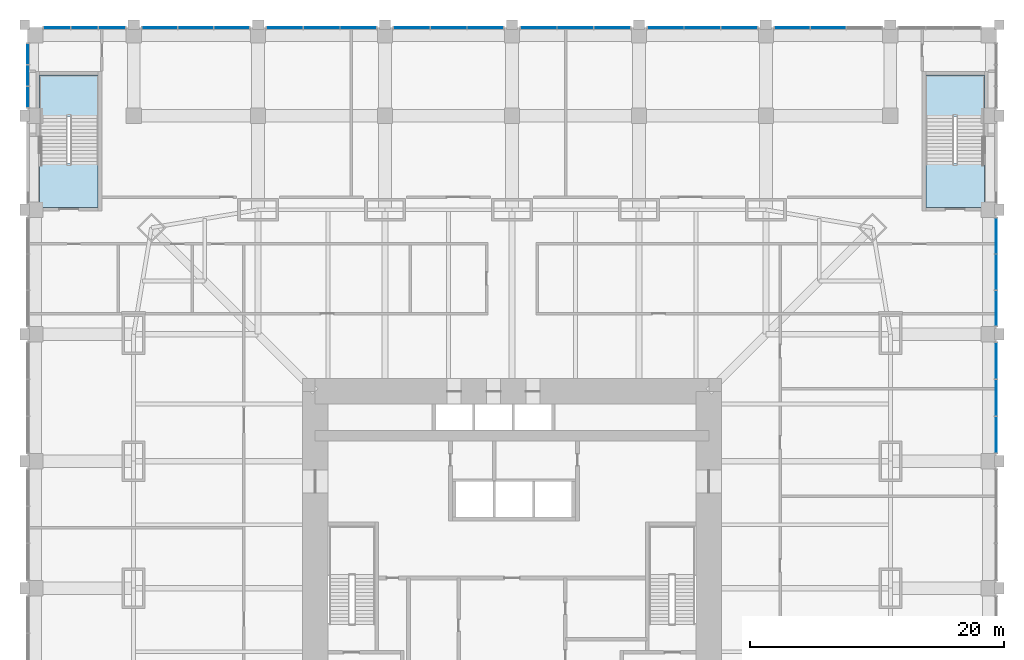
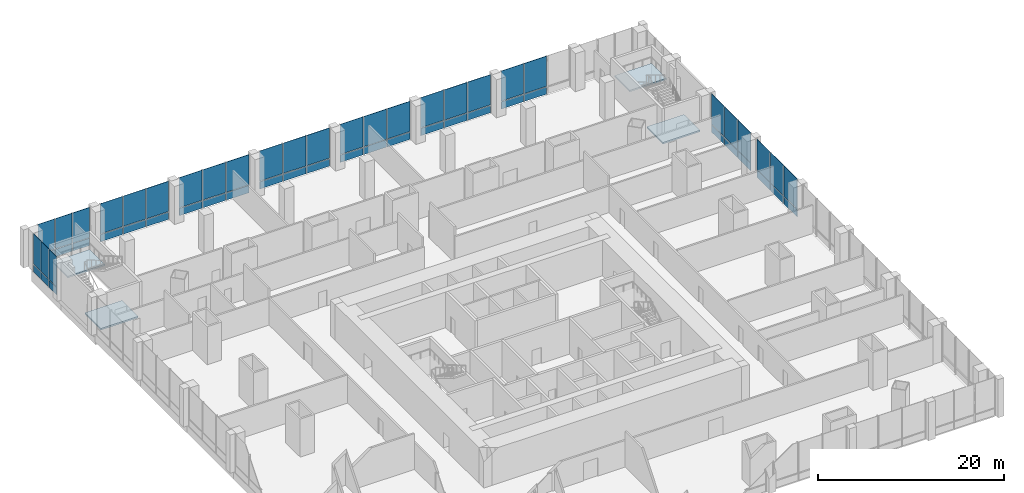
# One storey, part 15 of 24: 58 plates, 4 slabs, 12 elements without a shape of their own.
"""IFC4 building model written with IfcOpenShell, lengths in metres."""

from ifc_helpers import new_model, si_unit, direction, frame, origin, origin_2d, place, context, subcontext, project, spatial, polyline, rectangle, outline, extrude, material, layer, layer_set, type_object, element, aggregate, save


model = new_model("IFC4")

# Units and contexts
model_context = context("Model", 3, precision=1e-05, world=origin(), true_north=direction((0.0, 1.0)))
body_context = subcontext(model_context, "Body", "Model", "MODEL_VIEW")
ifc_project = project(units=[si_unit("LENGTHUNIT", "METRE"), si_unit("AREAUNIT", "SQUARE_METRE"), si_unit("VOLUMEUNIT", "CUBIC_METRE"), si_unit("PLANEANGLEUNIT", "RADIAN"), si_unit("MASSUNIT", "GRAM", prefix="KILO")], contexts=[model_context])

# Site, building, storey
site_placement = place(None, origin())
site = spatial("IfcSite", under=ifc_project, at=site_placement, CompositionType="ELEMENT")
building_placement = place(site_placement, origin())
building = spatial("IfcBuilding", under=site, at=building_placement, Name="Khuree Lantern Residences", CompositionType="ELEMENT")
storey_placement = place(building_placement, frame((0.0, 0.0, 6.0)))
storey = spatial("IfcBuildingStorey", under=building, at=storey_placement, Name="L01", CompositionType="ELEMENT", Elevation=6.0)

# Stair, slabs
ifc_material_1 = material(Name="Concrete C40/50", Category="concrete")
stair_type = type_object("IfcStairType", Name="STAIR ST3 HALF TURN 4600", PredefinedType="HALF_TURN_STAIR", material=ifc_material_1)
stair_1_placement = place(storey_placement, origin())
stair_1 = element("IfcStair", 1, at=stair_1_placement, inside=storey, type_object=stair_type, Name="Stair ST3", PredefinedType="HALF_TURN_STAIR")
ifc_layer_1 = layer(ifc_material_1, 0.199951171875)
ifc_layer_set_1 = layer_set([ifc_layer_1], Name="STAIR LANDING SL1 200")
slab_type = type_object("IfcSlabType", Name="STAIR LANDING SL1 200", PredefinedType="LANDING", material=ifc_layer_set_1)
slab_1_placement = place(storey_placement, frame((0.0, 0.0, -0.199951171875)))
slab_1 = element("IfcSlab", 2, at=slab_1_placement, type_object=slab_type, Name="ST3 landing 1", PredefinedType="LANDING", context=body_context, shape_type="SweptSolid", body=[
    extrude(outline(polyline([(-37.199951171875, 30.0), (-32.60009765625, 30.0), (-32.60009765625, 33.43994140625), (-37.199951171875, 33.43994140625), (-37.199951171875, 30.0)])), origin(), (0.0, 0.0, 1.0), 0.199951171875),
])
slab_2_placement = place(storey_placement, frame((0.0, 0.0, 2.300048828125)))
slab_2 = element("IfcSlab", 3, at=slab_2_placement, type_object=slab_type, Name="ST3 landing 2", PredefinedType="LANDING", context=body_context, shape_type="SweptSolid", body=[
    extrude(outline(polyline([(-37.199951171875, 37.159912109375), (-37.199951171875, 40.39990234375), (-32.60009765625, 40.39990234375), (-32.60009765625, 37.159912109375), (-37.199951171875, 37.159912109375)])), origin(), (0.0, 0.0, 1.0), 0.199951171875),
])
aggregate(stair_1, [slab_1, slab_2])

stair_2_placement = place(storey_placement, origin())
stair_2 = element("IfcStair", 4, at=stair_2_placement, inside=storey, type_object=stair_type, Name="Stair ST4", PredefinedType="HALF_TURN_STAIR")
slab_3_placement = place(storey_placement, frame((0.0, 0.0, -0.199951171875)))
slab_3 = element("IfcSlab", 5, at=slab_3_placement, type_object=slab_type, Name="ST4 landing 1", PredefinedType="LANDING", context=body_context, shape_type="SweptSolid", body=[
    extrude(outline(polyline([(32.60009765625, 30.0), (37.199951171875, 30.0), (37.199951171875, 33.43994140625), (32.60009765625, 33.43994140625), (32.60009765625, 30.0)])), origin(), (0.0, 0.0, 1.0), 0.199951171875),
])
slab_4_placement = place(storey_placement, frame((0.0, 0.0, 2.300048828125)))
slab_4 = element("IfcSlab", 6, at=slab_4_placement, type_object=slab_type, Name="ST4 landing 2", PredefinedType="LANDING", context=body_context, shape_type="SweptSolid", body=[
    extrude(outline(polyline([(37.199951171875, 40.39990234375), (37.199951171875, 37.159912109375), (32.60009765625, 37.159912109375), (32.60009765625, 40.39990234375), (37.199951171875, 40.39990234375)])), origin(), (0.0, 0.0, 1.0), 0.199951171875),
])
aggregate(stair_2, [slab_3, slab_4])

# Curtain wall, plates
ifc_material_2 = material(Name="Bronze anodised aluminium", Category="aluminium")
curtain_wall_type = type_object("IfcCurtainWallType", Name="CW-P PODIUM STOREFRONT CURTAIN WALL", PredefinedType="USERDEFINED", material=ifc_material_2)
curtain_wall_1_placement = place(storey_placement, origin())
curtain_wall_1 = element("IfcCurtainWall", 7, at=curtain_wall_1_placement, inside=storey, type_object=curtain_wall_type, Name="L01 EAST FACE BAY 5 STOREFRONT", ObjectType="Storefront curtain wall", PredefinedType="USERDEFINED")
ifc_material_3 = material(Name="Bronze tinted laminated triple glazing", Category="glass")
ifc_layer_2 = layer(ifc_material_3, 0.0400390625)
ifc_layer_set_2 = layer_set([ifc_layer_2], Name="STOREFRONT GLASS PANEL P9")
plate_type_1 = type_object("IfcPlateType", Name="STOREFRONT GLASS PANEL P9", PredefinedType="CURTAIN_PANEL", material=ifc_layer_set_2)
plate_1_placement = place(storey_placement, frame((38.14990234375, 12.091552734375, 1.03759765625), z_axis=(0.0, 0.0, 1.0), x_axis=(0.0, 1.0, 0.0)))
plate_1 = element("IfcPlate", 8, at=plate_1_placement, type_object=plate_type_1, Name="L01 EAST FACE BAY 5 PANEL 1.2", PredefinedType="CURTAIN_PANEL", context=body_context, shape_type="SweptSolid", body=[
    extrude(rectangle(XDim=2.833251953125, YDim=0.0400390625, at=origin_2d()), origin(), (0.0, 0.0, 1.0), 3.96240234375),
])
plate_2_placement = place(storey_placement, frame((38.14990234375, 15.0, 1.03759765625), z_axis=(0.0, 0.0, 1.0), x_axis=(0.0, 1.0, 0.0)))
plate_2 = element("IfcPlate", 9, at=plate_2_placement, type_object=plate_type_1, Name="L01 EAST FACE BAY 5 PANEL 2.2", PredefinedType="CURTAIN_PANEL", context=body_context, shape_type="SweptSolid", body=[
    extrude(rectangle(XDim=2.833251953125, YDim=0.0400390625, at=origin_2d()), origin(), (0.0, 0.0, 1.0), 3.96240234375),
])
plate_3_placement = place(storey_placement, frame((38.14990234375, 17.908447265625, 1.03759765625), z_axis=(0.0, 0.0, 1.0), x_axis=(0.0, 1.0, 0.0)))
plate_3 = element("IfcPlate", 10, at=plate_3_placement, type_object=plate_type_1, Name="L01 EAST FACE BAY 5 PANEL 3.2", PredefinedType="CURTAIN_PANEL", context=body_context, shape_type="SweptSolid", body=[
    extrude(rectangle(XDim=2.833251953125, YDim=0.0400390625, at=origin_2d()), origin(), (0.0, 0.0, 1.0), 3.96240234375),
])

curtain_wall_2_placement = place(storey_placement, origin())
curtain_wall_2 = element("IfcCurtainWall", 11, at=curtain_wall_2_placement, inside=storey, type_object=curtain_wall_type, Name="L01 EAST FACE BAY 6 STOREFRONT", ObjectType="Storefront curtain wall", PredefinedType="USERDEFINED")
plate_4_placement = place(storey_placement, frame((38.14990234375, 22.058349609375, 1.03759765625), z_axis=(0.0, 0.0, 1.0), x_axis=(0.0, 1.0, 0.0)))
plate_4 = element("IfcPlate", 12, at=plate_4_placement, type_object=plate_type_1, Name="L01 EAST FACE BAY 6 PANEL 1.2", PredefinedType="CURTAIN_PANEL", context=body_context, shape_type="SweptSolid", body=[
    extrude(rectangle(XDim=2.7666015625, YDim=0.0400390625, at=origin_2d()), origin(), (0.0, 0.0, 1.0), 3.96240234375),
])
plate_5_placement = place(storey_placement, frame((38.14990234375, 24.89990234375, 1.03759765625), z_axis=(0.0, 0.0, 1.0), x_axis=(0.0, 1.0, 0.0)))
plate_5 = element("IfcPlate", 13, at=plate_5_placement, type_object=plate_type_1, Name="L01 EAST FACE BAY 6 PANEL 2.2", PredefinedType="CURTAIN_PANEL", context=body_context, shape_type="SweptSolid", body=[
    extrude(rectangle(XDim=2.7666015625, YDim=0.0400390625, at=origin_2d()), origin(), (0.0, 0.0, 1.0), 3.96240234375),
])
plate_6_placement = place(storey_placement, frame((38.14990234375, 27.74169921875, 1.03759765625), z_axis=(0.0, 0.0, 1.0), x_axis=(0.0, 1.0, 0.0)))
plate_6 = element("IfcPlate", 14, at=plate_6_placement, type_object=plate_type_1, Name="L01 EAST FACE BAY 6 PANEL 3.2", PredefinedType="CURTAIN_PANEL", context=body_context, shape_type="SweptSolid", body=[
    extrude(rectangle(XDim=2.7666015625, YDim=0.0400390625, at=origin_2d()), origin(), (0.0, 0.0, 1.0), 3.96240234375),
])

curtain_wall_3_placement = place(storey_placement, origin())
curtain_wall_3 = element("IfcCurtainWall", 15, at=curtain_wall_3_placement, inside=storey, type_object=curtain_wall_type, Name="L01 NORTH FACE BAY 2 STOREFRONT", ObjectType="Storefront curtain wall", PredefinedType="USERDEFINED")
plate_7_placement = place(storey_placement, frame((24.89990234375, 44.14990234375, 1.03759765625), z_axis=(0.0, 0.0, 1.0), x_axis=(-1.0, 0.0, 0.0)))
plate_7 = element("IfcPlate", 16, at=plate_7_placement, type_object=plate_type_1, Name="L01 NORTH FACE BAY 2 PANEL 2.2", PredefinedType="CURTAIN_PANEL", context=body_context, shape_type="SweptSolid", body=[
    extrude(rectangle(XDim=2.7666015625, YDim=0.0400390625, at=origin_2d()), origin(), (0.0, 0.0, 1.0), 3.96240234375),
])
plate_8_placement = place(storey_placement, frame((22.058349609375, 44.14990234375, 1.03759765625), z_axis=(0.0, 0.0, 1.0), x_axis=(-1.0, 0.0, 0.0)))
plate_8 = element("IfcPlate", 17, at=plate_8_placement, type_object=plate_type_1, Name="L01 NORTH FACE BAY 2 PANEL 3.2", PredefinedType="CURTAIN_PANEL", context=body_context, shape_type="SweptSolid", body=[
    extrude(rectangle(XDim=2.7666015625, YDim=0.0400390625, at=origin_2d()), origin(), (0.0, 0.0, 1.0), 3.96240234375),
])

curtain_wall_4_placement = place(storey_placement, origin())
curtain_wall_4 = element("IfcCurtainWall", 18, at=curtain_wall_4_placement, inside=storey, type_object=curtain_wall_type, Name="L01 NORTH FACE BAY 3 STOREFRONT", ObjectType="Storefront curtain wall", PredefinedType="USERDEFINED")
plate_9_placement = place(storey_placement, frame((17.908447265625, 44.14990234375, 1.03759765625), z_axis=(0.0, 0.0, 1.0), x_axis=(-1.0, 0.0, 0.0)))
plate_9 = element("IfcPlate", 19, at=plate_9_placement, type_object=plate_type_1, Name="L01 NORTH FACE BAY 3 PANEL 1.2", PredefinedType="CURTAIN_PANEL", context=body_context, shape_type="SweptSolid", body=[
    extrude(rectangle(XDim=2.833251953125, YDim=0.0400390625, at=origin_2d()), origin(), (0.0, 0.0, 1.0), 3.96240234375),
])
plate_10_placement = place(storey_placement, frame((15.0, 44.14990234375, 1.03759765625), z_axis=(0.0, 0.0, 1.0), x_axis=(-1.0, 0.0, 0.0)))
plate_10 = element("IfcPlate", 20, at=plate_10_placement, type_object=plate_type_1, Name="L01 NORTH FACE BAY 3 PANEL 2.2", PredefinedType="CURTAIN_PANEL", context=body_context, shape_type="SweptSolid", body=[
    extrude(rectangle(XDim=2.833251953125, YDim=0.0400390625, at=origin_2d()), origin(), (0.0, 0.0, 1.0), 3.96240234375),
])
plate_11_placement = place(storey_placement, frame((12.091552734375, 44.14990234375, 1.03759765625), z_axis=(0.0, 0.0, 1.0), x_axis=(-1.0, 0.0, 0.0)))
plate_11 = element("IfcPlate", 21, at=plate_11_placement, type_object=plate_type_1, Name="L01 NORTH FACE BAY 3 PANEL 3.2", PredefinedType="CURTAIN_PANEL", context=body_context, shape_type="SweptSolid", body=[
    extrude(rectangle(XDim=2.833251953125, YDim=0.0400390625, at=origin_2d()), origin(), (0.0, 0.0, 1.0), 3.96240234375),
])

curtain_wall_5_placement = place(storey_placement, origin())
curtain_wall_5 = element("IfcCurtainWall", 22, at=curtain_wall_5_placement, inside=storey, type_object=curtain_wall_type, Name="L01 NORTH FACE BAY 4 STOREFRONT", ObjectType="Storefront curtain wall", PredefinedType="USERDEFINED")
plate_12_placement = place(storey_placement, frame((7.908447265625, 44.14990234375, 1.03759765625), z_axis=(0.0, 0.0, 1.0), x_axis=(-1.0, 0.0, 0.0)))
plate_12 = element("IfcPlate", 23, at=plate_12_placement, type_object=plate_type_1, Name="L01 NORTH FACE BAY 4 PANEL 1.2", PredefinedType="CURTAIN_PANEL", context=body_context, shape_type="SweptSolid", body=[
    extrude(rectangle(XDim=2.833251953125, YDim=0.0400390625, at=origin_2d()), origin(), (0.0, 0.0, 1.0), 3.96240234375),
])
plate_13_placement = place(storey_placement, frame((5.0, 44.14990234375, 1.03759765625), z_axis=(0.0, 0.0, 1.0), x_axis=(-1.0, 0.0, 0.0)))
plate_13 = element("IfcPlate", 24, at=plate_13_placement, type_object=plate_type_1, Name="L01 NORTH FACE BAY 4 PANEL 2.2", PredefinedType="CURTAIN_PANEL", context=body_context, shape_type="SweptSolid", body=[
    extrude(rectangle(XDim=2.833251953125, YDim=0.0400390625, at=origin_2d()), origin(), (0.0, 0.0, 1.0), 3.96240234375),
])
plate_14_placement = place(storey_placement, frame((2.091552734375, 44.14990234375, 1.03759765625), z_axis=(0.0, 0.0, 1.0), x_axis=(-1.0, 0.0, 0.0)))
plate_14 = element("IfcPlate", 25, at=plate_14_placement, type_object=plate_type_1, Name="L01 NORTH FACE BAY 4 PANEL 3.2", PredefinedType="CURTAIN_PANEL", context=body_context, shape_type="SweptSolid", body=[
    extrude(rectangle(XDim=2.833251953125, YDim=0.0400390625, at=origin_2d()), origin(), (0.0, 0.0, 1.0), 3.96240234375),
])

curtain_wall_6_placement = place(storey_placement, origin())
curtain_wall_6 = element("IfcCurtainWall", 26, at=curtain_wall_6_placement, inside=storey, type_object=curtain_wall_type, Name="L01 NORTH FACE BAY 5 STOREFRONT", ObjectType="Storefront curtain wall", PredefinedType="USERDEFINED")
plate_15_placement = place(storey_placement, frame((-2.091552734375, 44.14990234375, 1.03759765625), z_axis=(0.0, 0.0, 1.0), x_axis=(-1.0, 0.0, 0.0)))
plate_15 = element("IfcPlate", 27, at=plate_15_placement, type_object=plate_type_1, Name="L01 NORTH FACE BAY 5 PANEL 1.2", PredefinedType="CURTAIN_PANEL", context=body_context, shape_type="SweptSolid", body=[
    extrude(rectangle(XDim=2.833251953125, YDim=0.0400390625, at=origin_2d()), origin(), (0.0, 0.0, 1.0), 3.96240234375),
])
plate_16_placement = place(storey_placement, frame((-5.0, 44.14990234375, 1.03759765625), z_axis=(0.0, 0.0, 1.0), x_axis=(-1.0, 0.0, 0.0)))
plate_16 = element("IfcPlate", 28, at=plate_16_placement, type_object=plate_type_1, Name="L01 NORTH FACE BAY 5 PANEL 2.2", PredefinedType="CURTAIN_PANEL", context=body_context, shape_type="SweptSolid", body=[
    extrude(rectangle(XDim=2.833251953125, YDim=0.0400390625, at=origin_2d()), origin(), (0.0, 0.0, 1.0), 3.96240234375),
])
plate_17_placement = place(storey_placement, frame((-7.908447265625, 44.14990234375, 1.03759765625), z_axis=(0.0, 0.0, 1.0), x_axis=(-1.0, 0.0, 0.0)))
plate_17 = element("IfcPlate", 29, at=plate_17_placement, type_object=plate_type_1, Name="L01 NORTH FACE BAY 5 PANEL 3.2", PredefinedType="CURTAIN_PANEL", context=body_context, shape_type="SweptSolid", body=[
    extrude(rectangle(XDim=2.833251953125, YDim=0.0400390625, at=origin_2d()), origin(), (0.0, 0.0, 1.0), 3.96240234375),
])

curtain_wall_7_placement = place(storey_placement, origin())
curtain_wall_7 = element("IfcCurtainWall", 30, at=curtain_wall_7_placement, inside=storey, type_object=curtain_wall_type, Name="L01 NORTH FACE BAY 6 STOREFRONT", ObjectType="Storefront curtain wall", PredefinedType="USERDEFINED")
plate_18_placement = place(storey_placement, frame((-12.091552734375, 44.14990234375, 1.03759765625), z_axis=(0.0, 0.0, 1.0), x_axis=(-1.0, 0.0, 0.0)))
plate_18 = element("IfcPlate", 31, at=plate_18_placement, type_object=plate_type_1, Name="L01 NORTH FACE BAY 6 PANEL 1.2", PredefinedType="CURTAIN_PANEL", context=body_context, shape_type="SweptSolid", body=[
    extrude(rectangle(XDim=2.833251953125, YDim=0.0400390625, at=origin_2d()), origin(), (0.0, 0.0, 1.0), 3.96240234375),
])
plate_19_placement = place(storey_placement, frame((-15.0, 44.14990234375, 1.03759765625), z_axis=(0.0, 0.0, 1.0), x_axis=(-1.0, 0.0, 0.0)))
plate_19 = element("IfcPlate", 32, at=plate_19_placement, type_object=plate_type_1, Name="L01 NORTH FACE BAY 6 PANEL 2.2", PredefinedType="CURTAIN_PANEL", context=body_context, shape_type="SweptSolid", body=[
    extrude(rectangle(XDim=2.833251953125, YDim=0.0400390625, at=origin_2d()), origin(), (0.0, 0.0, 1.0), 3.96240234375),
])
plate_20_placement = place(storey_placement, frame((-17.908447265625, 44.14990234375, 1.03759765625), z_axis=(0.0, 0.0, 1.0), x_axis=(-1.0, 0.0, 0.0)))
plate_20 = element("IfcPlate", 33, at=plate_20_placement, type_object=plate_type_1, Name="L01 NORTH FACE BAY 6 PANEL 3.2", PredefinedType="CURTAIN_PANEL", context=body_context, shape_type="SweptSolid", body=[
    extrude(rectangle(XDim=2.833251953125, YDim=0.0400390625, at=origin_2d()), origin(), (0.0, 0.0, 1.0), 3.96240234375),
])

curtain_wall_8_placement = place(storey_placement, origin())
curtain_wall_8 = element("IfcCurtainWall", 34, at=curtain_wall_8_placement, inside=storey, type_object=curtain_wall_type, Name="L01 NORTH FACE BAY 7 STOREFRONT", ObjectType="Storefront curtain wall", PredefinedType="USERDEFINED")
plate_21_placement = place(storey_placement, frame((-22.058349609375, 44.14990234375, 1.03759765625), z_axis=(0.0, 0.0, 1.0), x_axis=(-1.0, 0.0, 0.0)))
plate_21 = element("IfcPlate", 35, at=plate_21_placement, type_object=plate_type_1, Name="L01 NORTH FACE BAY 7 PANEL 1.2", PredefinedType="CURTAIN_PANEL", context=body_context, shape_type="SweptSolid", body=[
    extrude(rectangle(XDim=2.7666015625, YDim=0.0400390625, at=origin_2d()), origin(), (0.0, 0.0, 1.0), 3.96240234375),
])
plate_22_placement = place(storey_placement, frame((-24.89990234375, 44.14990234375, 1.03759765625), z_axis=(0.0, 0.0, 1.0), x_axis=(-1.0, 0.0, 0.0)))
plate_22 = element("IfcPlate", 36, at=plate_22_placement, type_object=plate_type_1, Name="L01 NORTH FACE BAY 7 PANEL 2.2", PredefinedType="CURTAIN_PANEL", context=body_context, shape_type="SweptSolid", body=[
    extrude(rectangle(XDim=2.7666015625, YDim=0.0400390625, at=origin_2d()), origin(), (0.0, 0.0, 1.0), 3.96240234375),
])
plate_23_placement = place(storey_placement, frame((-27.74169921875, 44.14990234375, 1.03759765625), z_axis=(0.0, 0.0, 1.0), x_axis=(-1.0, 0.0, 0.0)))
plate_23 = element("IfcPlate", 37, at=plate_23_placement, type_object=plate_type_1, Name="L01 NORTH FACE BAY 7 PANEL 3.2", PredefinedType="CURTAIN_PANEL", context=body_context, shape_type="SweptSolid", body=[
    extrude(rectangle(XDim=2.7666015625, YDim=0.0400390625, at=origin_2d()), origin(), (0.0, 0.0, 1.0), 3.96240234375),
])

curtain_wall_9_placement = place(storey_placement, origin())
curtain_wall_9 = element("IfcCurtainWall", 38, at=curtain_wall_9_placement, inside=storey, type_object=curtain_wall_type, Name="L01 NORTH FACE BAY 8 STOREFRONT", ObjectType="Storefront curtain wall", PredefinedType="USERDEFINED")
plate_24_placement = place(storey_placement, frame((-31.5166015625, 44.14990234375, 1.03759765625), z_axis=(0.0, 0.0, 1.0), x_axis=(-1.0, 0.0, 0.0)))
plate_24 = element("IfcPlate", 39, at=plate_24_placement, type_object=plate_type_1, Name="L01 NORTH FACE BAY 8 PANEL 1.2", PredefinedType="CURTAIN_PANEL", context=body_context, shape_type="SweptSolid", body=[
    extrude(rectangle(XDim=2.083251953125, YDim=0.0400390625, at=origin_2d()), origin(), (0.0, 0.0, 1.0), 3.96240234375),
])
plate_25_placement = place(storey_placement, frame((-33.675048828125, 44.14990234375, 1.03759765625), z_axis=(0.0, 0.0, 1.0), x_axis=(-1.0, 0.0, 0.0)))
plate_25 = element("IfcPlate", 40, at=plate_25_placement, type_object=plate_type_1, Name="L01 NORTH FACE BAY 8 PANEL 2.2", PredefinedType="CURTAIN_PANEL", context=body_context, shape_type="SweptSolid", body=[
    extrude(rectangle(XDim=2.083251953125, YDim=0.0400390625, at=origin_2d()), origin(), (0.0, 0.0, 1.0), 3.96240234375),
])
plate_26_placement = place(storey_placement, frame((-35.833251953125, 44.14990234375, 1.03759765625), z_axis=(0.0, 0.0, 1.0), x_axis=(-1.0, 0.0, 0.0)))
plate_26 = element("IfcPlate", 41, at=plate_26_placement, type_object=plate_type_1, Name="L01 NORTH FACE BAY 8 PANEL 3.2", PredefinedType="CURTAIN_PANEL", context=body_context, shape_type="SweptSolid", body=[
    extrude(rectangle(XDim=2.083251953125, YDim=0.0400390625, at=origin_2d()), origin(), (0.0, 0.0, 1.0), 3.96240234375),
])

curtain_wall_10_placement = place(storey_placement, origin())
curtain_wall_10 = element("IfcCurtainWall", 42, at=curtain_wall_10_placement, inside=storey, type_object=curtain_wall_type, Name="L01 WEST FACE BAY 1 STOREFRONT", ObjectType="Storefront curtain wall", PredefinedType="USERDEFINED")
plate_27_placement = place(storey_placement, frame((-38.14990234375, 42.066650390625, 1.03759765625), z_axis=(0.0, 0.0, 1.0), x_axis=(0.0, -1.0, 0.0)))
plate_27 = element("IfcPlate", 43, at=plate_27_placement, type_object=plate_type_1, Name="L01 WEST FACE BAY 1 PANEL 1.2", PredefinedType="CURTAIN_PANEL", context=body_context, shape_type="SweptSolid", body=[
    extrude(rectangle(XDim=1.61669921875, YDim=0.0400390625, at=origin_2d()), origin(), (0.0, 0.0, 1.0), 3.96240234375),
])
plate_28_placement = place(storey_placement, frame((-38.14990234375, 40.375, 1.03759765625), z_axis=(0.0, 0.0, 1.0), x_axis=(0.0, -1.0, 0.0)))
plate_28 = element("IfcPlate", 44, at=plate_28_placement, type_object=plate_type_1, Name="L01 WEST FACE BAY 1 PANEL 2.2", PredefinedType="CURTAIN_PANEL", context=body_context, shape_type="SweptSolid", body=[
    extrude(rectangle(XDim=1.61669921875, YDim=0.0400390625, at=origin_2d()), origin(), (0.0, 0.0, 1.0), 3.96240234375),
])
plate_29_placement = place(storey_placement, frame((-38.14990234375, 38.683349609375, 1.03759765625), z_axis=(0.0, 0.0, 1.0), x_axis=(0.0, -1.0, 0.0)))
plate_29 = element("IfcPlate", 45, at=plate_29_placement, type_object=plate_type_1, Name="L01 WEST FACE BAY 1 PANEL 3.2", PredefinedType="CURTAIN_PANEL", context=body_context, shape_type="SweptSolid", body=[
    extrude(rectangle(XDim=1.61669921875, YDim=0.0400390625, at=origin_2d()), origin(), (0.0, 0.0, 1.0), 3.96240234375),
])

# Plate
ifc_material_4 = material(Name="Bronze anodised aluminium insulated spandrel", Category="aluminium")
ifc_layer_3 = layer(ifc_material_4, 0.06005859375)
ifc_layer_set_3 = layer_set([ifc_layer_3], Name="STOREFRONT SPANDREL PANEL P10")
plate_type_2 = type_object("IfcPlateType", Name="STOREFRONT SPANDREL PANEL P10", PredefinedType="CURTAIN_PANEL", material=ifc_layer_set_3)
plate_30_placement = place(storey_placement, frame((38.14990234375, 12.091552734375, 0.0), z_axis=(0.0, 0.0, 1.0), x_axis=(0.0, 1.0, 0.0)))
plate_30 = element("IfcPlate", 46, at=plate_30_placement, type_object=plate_type_2, Name="L01 EAST FACE BAY 5 PANEL 1.1", PredefinedType="CURTAIN_PANEL", context=body_context, shape_type="SweptSolid", body=[
    extrude(rectangle(XDim=2.833251953125, YDim=0.06005859375, at=origin_2d()), origin(), (0.0, 0.0, 1.0), 0.96240234375),
])

plate_31_placement = place(storey_placement, frame((38.14990234375, 15.0, 0.0), z_axis=(0.0, 0.0, 1.0), x_axis=(0.0, 1.0, 0.0)))
plate_31 = element("IfcPlate", 47, at=plate_31_placement, type_object=plate_type_2, Name="L01 EAST FACE BAY 5 PANEL 2.1", PredefinedType="CURTAIN_PANEL", context=body_context, shape_type="SweptSolid", body=[
    extrude(rectangle(XDim=2.833251953125, YDim=0.06005859375, at=origin_2d()), origin(), (0.0, 0.0, 1.0), 0.96240234375),
])

plate_32_placement = place(storey_placement, frame((38.14990234375, 17.908447265625, 0.0), z_axis=(0.0, 0.0, 1.0), x_axis=(0.0, 1.0, 0.0)))
plate_32 = element("IfcPlate", 48, at=plate_32_placement, type_object=plate_type_2, Name="L01 EAST FACE BAY 5 PANEL 3.1", PredefinedType="CURTAIN_PANEL", context=body_context, shape_type="SweptSolid", body=[
    extrude(rectangle(XDim=2.833251953125, YDim=0.06005859375, at=origin_2d()), origin(), (0.0, 0.0, 1.0), 0.96240234375),
])

aggregate(curtain_wall_1, [plate_30, plate_1, plate_31, plate_2, plate_32, plate_3])

plate_33_placement = place(storey_placement, frame((38.14990234375, 22.058349609375, 0.0), z_axis=(0.0, 0.0, 1.0), x_axis=(0.0, 1.0, 0.0)))
plate_33 = element("IfcPlate", 49, at=plate_33_placement, type_object=plate_type_2, Name="L01 EAST FACE BAY 6 PANEL 1.1", PredefinedType="CURTAIN_PANEL", context=body_context, shape_type="SweptSolid", body=[
    extrude(rectangle(XDim=2.7666015625, YDim=0.06005859375, at=origin_2d()), origin(), (0.0, 0.0, 1.0), 0.96240234375),
])

plate_34_placement = place(storey_placement, frame((38.14990234375, 24.89990234375, 0.0), z_axis=(0.0, 0.0, 1.0), x_axis=(0.0, 1.0, 0.0)))
plate_34 = element("IfcPlate", 50, at=plate_34_placement, type_object=plate_type_2, Name="L01 EAST FACE BAY 6 PANEL 2.1", PredefinedType="CURTAIN_PANEL", context=body_context, shape_type="SweptSolid", body=[
    extrude(rectangle(XDim=2.7666015625, YDim=0.06005859375, at=origin_2d()), origin(), (0.0, 0.0, 1.0), 0.96240234375),
])

plate_35_placement = place(storey_placement, frame((38.14990234375, 27.74169921875, 0.0), z_axis=(0.0, 0.0, 1.0), x_axis=(0.0, 1.0, 0.0)))
plate_35 = element("IfcPlate", 51, at=plate_35_placement, type_object=plate_type_2, Name="L01 EAST FACE BAY 6 PANEL 3.1", PredefinedType="CURTAIN_PANEL", context=body_context, shape_type="SweptSolid", body=[
    extrude(rectangle(XDim=2.7666015625, YDim=0.06005859375, at=origin_2d()), origin(), (0.0, 0.0, 1.0), 0.96240234375),
])

aggregate(curtain_wall_2, [plate_33, plate_4, plate_34, plate_5, plate_35, plate_6])

plate_36_placement = place(storey_placement, frame((24.89990234375, 44.14990234375, 0.0), z_axis=(0.0, 0.0, 1.0), x_axis=(-1.0, 0.0, 0.0)))
plate_36 = element("IfcPlate", 52, at=plate_36_placement, type_object=plate_type_2, Name="L01 NORTH FACE BAY 2 PANEL 2.1", PredefinedType="CURTAIN_PANEL", context=body_context, shape_type="SweptSolid", body=[
    extrude(rectangle(XDim=2.7666015625, YDim=0.06005859375, at=origin_2d()), origin(), (0.0, 0.0, 1.0), 0.96240234375),
])

plate_37_placement = place(storey_placement, frame((22.058349609375, 44.14990234375, 0.0), z_axis=(0.0, 0.0, 1.0), x_axis=(-1.0, 0.0, 0.0)))
plate_37 = element("IfcPlate", 53, at=plate_37_placement, type_object=plate_type_2, Name="L01 NORTH FACE BAY 2 PANEL 3.1", PredefinedType="CURTAIN_PANEL", context=body_context, shape_type="SweptSolid", body=[
    extrude(rectangle(XDim=2.7666015625, YDim=0.06005859375, at=origin_2d()), origin(), (0.0, 0.0, 1.0), 0.96240234375),
])

aggregate(curtain_wall_3, [plate_36, plate_7, plate_37, plate_8])

plate_38_placement = place(storey_placement, frame((17.908447265625, 44.14990234375, 0.0), z_axis=(0.0, 0.0, 1.0), x_axis=(-1.0, 0.0, 0.0)))
plate_38 = element("IfcPlate", 54, at=plate_38_placement, type_object=plate_type_2, Name="L01 NORTH FACE BAY 3 PANEL 1.1", PredefinedType="CURTAIN_PANEL", context=body_context, shape_type="SweptSolid", body=[
    extrude(rectangle(XDim=2.833251953125, YDim=0.06005859375, at=origin_2d()), origin(), (0.0, 0.0, 1.0), 0.96240234375),
])

plate_39_placement = place(storey_placement, frame((15.0, 44.14990234375, 0.0), z_axis=(0.0, 0.0, 1.0), x_axis=(-1.0, 0.0, 0.0)))
plate_39 = element("IfcPlate", 55, at=plate_39_placement, type_object=plate_type_2, Name="L01 NORTH FACE BAY 3 PANEL 2.1", PredefinedType="CURTAIN_PANEL", context=body_context, shape_type="SweptSolid", body=[
    extrude(rectangle(XDim=2.833251953125, YDim=0.06005859375, at=origin_2d()), origin(), (0.0, 0.0, 1.0), 0.96240234375),
])

plate_40_placement = place(storey_placement, frame((12.091552734375, 44.14990234375, 0.0), z_axis=(0.0, 0.0, 1.0), x_axis=(-1.0, 0.0, 0.0)))
plate_40 = element("IfcPlate", 56, at=plate_40_placement, type_object=plate_type_2, Name="L01 NORTH FACE BAY 3 PANEL 3.1", PredefinedType="CURTAIN_PANEL", context=body_context, shape_type="SweptSolid", body=[
    extrude(rectangle(XDim=2.833251953125, YDim=0.06005859375, at=origin_2d()), origin(), (0.0, 0.0, 1.0), 0.96240234375),
])

aggregate(curtain_wall_4, [plate_38, plate_9, plate_39, plate_10, plate_40, plate_11])

plate_41_placement = place(storey_placement, frame((7.908447265625, 44.14990234375, 0.0), z_axis=(0.0, 0.0, 1.0), x_axis=(-1.0, 0.0, 0.0)))
plate_41 = element("IfcPlate", 57, at=plate_41_placement, type_object=plate_type_2, Name="L01 NORTH FACE BAY 4 PANEL 1.1", PredefinedType="CURTAIN_PANEL", context=body_context, shape_type="SweptSolid", body=[
    extrude(rectangle(XDim=2.833251953125, YDim=0.06005859375, at=origin_2d()), origin(), (0.0, 0.0, 1.0), 0.96240234375),
])

plate_42_placement = place(storey_placement, frame((5.0, 44.14990234375, 0.0), z_axis=(0.0, 0.0, 1.0), x_axis=(-1.0, 0.0, 0.0)))
plate_42 = element("IfcPlate", 58, at=plate_42_placement, type_object=plate_type_2, Name="L01 NORTH FACE BAY 4 PANEL 2.1", PredefinedType="CURTAIN_PANEL", context=body_context, shape_type="SweptSolid", body=[
    extrude(rectangle(XDim=2.833251953125, YDim=0.06005859375, at=origin_2d()), origin(), (0.0, 0.0, 1.0), 0.96240234375),
])

plate_43_placement = place(storey_placement, frame((2.091552734375, 44.14990234375, 0.0), z_axis=(0.0, 0.0, 1.0), x_axis=(-1.0, 0.0, 0.0)))
plate_43 = element("IfcPlate", 59, at=plate_43_placement, type_object=plate_type_2, Name="L01 NORTH FACE BAY 4 PANEL 3.1", PredefinedType="CURTAIN_PANEL", context=body_context, shape_type="SweptSolid", body=[
    extrude(rectangle(XDim=2.833251953125, YDim=0.06005859375, at=origin_2d()), origin(), (0.0, 0.0, 1.0), 0.96240234375),
])

aggregate(curtain_wall_5, [plate_41, plate_12, plate_42, plate_13, plate_43, plate_14])

plate_44_placement = place(storey_placement, frame((-2.091552734375, 44.14990234375, 0.0), z_axis=(0.0, 0.0, 1.0), x_axis=(-1.0, 0.0, 0.0)))
plate_44 = element("IfcPlate", 60, at=plate_44_placement, type_object=plate_type_2, Name="L01 NORTH FACE BAY 5 PANEL 1.1", PredefinedType="CURTAIN_PANEL", context=body_context, shape_type="SweptSolid", body=[
    extrude(rectangle(XDim=2.833251953125, YDim=0.06005859375, at=origin_2d()), origin(), (0.0, 0.0, 1.0), 0.96240234375),
])

plate_45_placement = place(storey_placement, frame((-5.0, 44.14990234375, 0.0), z_axis=(0.0, 0.0, 1.0), x_axis=(-1.0, 0.0, 0.0)))
plate_45 = element("IfcPlate", 61, at=plate_45_placement, type_object=plate_type_2, Name="L01 NORTH FACE BAY 5 PANEL 2.1", PredefinedType="CURTAIN_PANEL", context=body_context, shape_type="SweptSolid", body=[
    extrude(rectangle(XDim=2.833251953125, YDim=0.06005859375, at=origin_2d()), origin(), (0.0, 0.0, 1.0), 0.96240234375),
])

plate_46_placement = place(storey_placement, frame((-7.908447265625, 44.14990234375, 0.0), z_axis=(0.0, 0.0, 1.0), x_axis=(-1.0, 0.0, 0.0)))
plate_46 = element("IfcPlate", 62, at=plate_46_placement, type_object=plate_type_2, Name="L01 NORTH FACE BAY 5 PANEL 3.1", PredefinedType="CURTAIN_PANEL", context=body_context, shape_type="SweptSolid", body=[
    extrude(rectangle(XDim=2.833251953125, YDim=0.06005859375, at=origin_2d()), origin(), (0.0, 0.0, 1.0), 0.96240234375),
])

aggregate(curtain_wall_6, [plate_44, plate_15, plate_45, plate_16, plate_46, plate_17])

plate_47_placement = place(storey_placement, frame((-12.091552734375, 44.14990234375, 0.0), z_axis=(0.0, 0.0, 1.0), x_axis=(-1.0, 0.0, 0.0)))
plate_47 = element("IfcPlate", 63, at=plate_47_placement, type_object=plate_type_2, Name="L01 NORTH FACE BAY 6 PANEL 1.1", PredefinedType="CURTAIN_PANEL", context=body_context, shape_type="SweptSolid", body=[
    extrude(rectangle(XDim=2.833251953125, YDim=0.06005859375, at=origin_2d()), origin(), (0.0, 0.0, 1.0), 0.96240234375),
])

plate_48_placement = place(storey_placement, frame((-15.0, 44.14990234375, 0.0), z_axis=(0.0, 0.0, 1.0), x_axis=(-1.0, 0.0, 0.0)))
plate_48 = element("IfcPlate", 64, at=plate_48_placement, type_object=plate_type_2, Name="L01 NORTH FACE BAY 6 PANEL 2.1", PredefinedType="CURTAIN_PANEL", context=body_context, shape_type="SweptSolid", body=[
    extrude(rectangle(XDim=2.833251953125, YDim=0.06005859375, at=origin_2d()), origin(), (0.0, 0.0, 1.0), 0.96240234375),
])

plate_49_placement = place(storey_placement, frame((-17.908447265625, 44.14990234375, 0.0), z_axis=(0.0, 0.0, 1.0), x_axis=(-1.0, 0.0, 0.0)))
plate_49 = element("IfcPlate", 65, at=plate_49_placement, type_object=plate_type_2, Name="L01 NORTH FACE BAY 6 PANEL 3.1", PredefinedType="CURTAIN_PANEL", context=body_context, shape_type="SweptSolid", body=[
    extrude(rectangle(XDim=2.833251953125, YDim=0.06005859375, at=origin_2d()), origin(), (0.0, 0.0, 1.0), 0.96240234375),
])

aggregate(curtain_wall_7, [plate_47, plate_18, plate_48, plate_19, plate_49, plate_20])

plate_50_placement = place(storey_placement, frame((-22.058349609375, 44.14990234375, 0.0), z_axis=(0.0, 0.0, 1.0), x_axis=(-1.0, 0.0, 0.0)))
plate_50 = element("IfcPlate", 66, at=plate_50_placement, type_object=plate_type_2, Name="L01 NORTH FACE BAY 7 PANEL 1.1", PredefinedType="CURTAIN_PANEL", context=body_context, shape_type="SweptSolid", body=[
    extrude(rectangle(XDim=2.7666015625, YDim=0.06005859375, at=origin_2d()), origin(), (0.0, 0.0, 1.0), 0.96240234375),
])

plate_51_placement = place(storey_placement, frame((-24.89990234375, 44.14990234375, 0.0), z_axis=(0.0, 0.0, 1.0), x_axis=(-1.0, 0.0, 0.0)))
plate_51 = element("IfcPlate", 67, at=plate_51_placement, type_object=plate_type_2, Name="L01 NORTH FACE BAY 7 PANEL 2.1", PredefinedType="CURTAIN_PANEL", context=body_context, shape_type="SweptSolid", body=[
    extrude(rectangle(XDim=2.7666015625, YDim=0.06005859375, at=origin_2d()), origin(), (0.0, 0.0, 1.0), 0.96240234375),
])

plate_52_placement = place(storey_placement, frame((-27.74169921875, 44.14990234375, 0.0), z_axis=(0.0, 0.0, 1.0), x_axis=(-1.0, 0.0, 0.0)))
plate_52 = element("IfcPlate", 68, at=plate_52_placement, type_object=plate_type_2, Name="L01 NORTH FACE BAY 7 PANEL 3.1", PredefinedType="CURTAIN_PANEL", context=body_context, shape_type="SweptSolid", body=[
    extrude(rectangle(XDim=2.7666015625, YDim=0.06005859375, at=origin_2d()), origin(), (0.0, 0.0, 1.0), 0.96240234375),
])

aggregate(curtain_wall_8, [plate_50, plate_21, plate_51, plate_22, plate_52, plate_23])

plate_53_placement = place(storey_placement, frame((-31.5166015625, 44.14990234375, 0.0), z_axis=(0.0, 0.0, 1.0), x_axis=(-1.0, 0.0, 0.0)))
plate_53 = element("IfcPlate", 69, at=plate_53_placement, type_object=plate_type_2, Name="L01 NORTH FACE BAY 8 PANEL 1.1", PredefinedType="CURTAIN_PANEL", context=body_context, shape_type="SweptSolid", body=[
    extrude(rectangle(XDim=2.083251953125, YDim=0.06005859375, at=origin_2d()), origin(), (0.0, 0.0, 1.0), 0.96240234375),
])

plate_54_placement = place(storey_placement, frame((-33.675048828125, 44.14990234375, 0.0), z_axis=(0.0, 0.0, 1.0), x_axis=(-1.0, 0.0, 0.0)))
plate_54 = element("IfcPlate", 70, at=plate_54_placement, type_object=plate_type_2, Name="L01 NORTH FACE BAY 8 PANEL 2.1", PredefinedType="CURTAIN_PANEL", context=body_context, shape_type="SweptSolid", body=[
    extrude(rectangle(XDim=2.083251953125, YDim=0.06005859375, at=origin_2d()), origin(), (0.0, 0.0, 1.0), 0.96240234375),
])

plate_55_placement = place(storey_placement, frame((-35.833251953125, 44.14990234375, 0.0), z_axis=(0.0, 0.0, 1.0), x_axis=(-1.0, 0.0, 0.0)))
plate_55 = element("IfcPlate", 71, at=plate_55_placement, type_object=plate_type_2, Name="L01 NORTH FACE BAY 8 PANEL 3.1", PredefinedType="CURTAIN_PANEL", context=body_context, shape_type="SweptSolid", body=[
    extrude(rectangle(XDim=2.083251953125, YDim=0.06005859375, at=origin_2d()), origin(), (0.0, 0.0, 1.0), 0.96240234375),
])

aggregate(curtain_wall_9, [plate_53, plate_24, plate_54, plate_25, plate_55, plate_26])

plate_56_placement = place(storey_placement, frame((-38.14990234375, 42.066650390625, 0.0), z_axis=(0.0, 0.0, 1.0), x_axis=(0.0, -1.0, 0.0)))
plate_56 = element("IfcPlate", 72, at=plate_56_placement, type_object=plate_type_2, Name="L01 WEST FACE BAY 1 PANEL 1.1", PredefinedType="CURTAIN_PANEL", context=body_context, shape_type="SweptSolid", body=[
    extrude(rectangle(XDim=1.61669921875, YDim=0.06005859375, at=origin_2d()), origin(), (0.0, 0.0, 1.0), 0.96240234375),
])

plate_57_placement = place(storey_placement, frame((-38.14990234375, 40.375, 0.0), z_axis=(0.0, 0.0, 1.0), x_axis=(0.0, -1.0, 0.0)))
plate_57 = element("IfcPlate", 73, at=plate_57_placement, type_object=plate_type_2, Name="L01 WEST FACE BAY 1 PANEL 2.1", PredefinedType="CURTAIN_PANEL", context=body_context, shape_type="SweptSolid", body=[
    extrude(rectangle(XDim=1.61669921875, YDim=0.06005859375, at=origin_2d()), origin(), (0.0, 0.0, 1.0), 0.96240234375),
])

plate_58_placement = place(storey_placement, frame((-38.14990234375, 38.683349609375, 0.0), z_axis=(0.0, 0.0, 1.0), x_axis=(0.0, -1.0, 0.0)))
plate_58 = element("IfcPlate", 74, at=plate_58_placement, type_object=plate_type_2, Name="L01 WEST FACE BAY 1 PANEL 3.1", PredefinedType="CURTAIN_PANEL", context=body_context, shape_type="SweptSolid", body=[
    extrude(rectangle(XDim=1.61669921875, YDim=0.06005859375, at=origin_2d()), origin(), (0.0, 0.0, 1.0), 0.96240234375),
])

aggregate(curtain_wall_10, [plate_56, plate_27, plate_57, plate_28, plate_58, plate_29])

save(model, "model.ifc")
